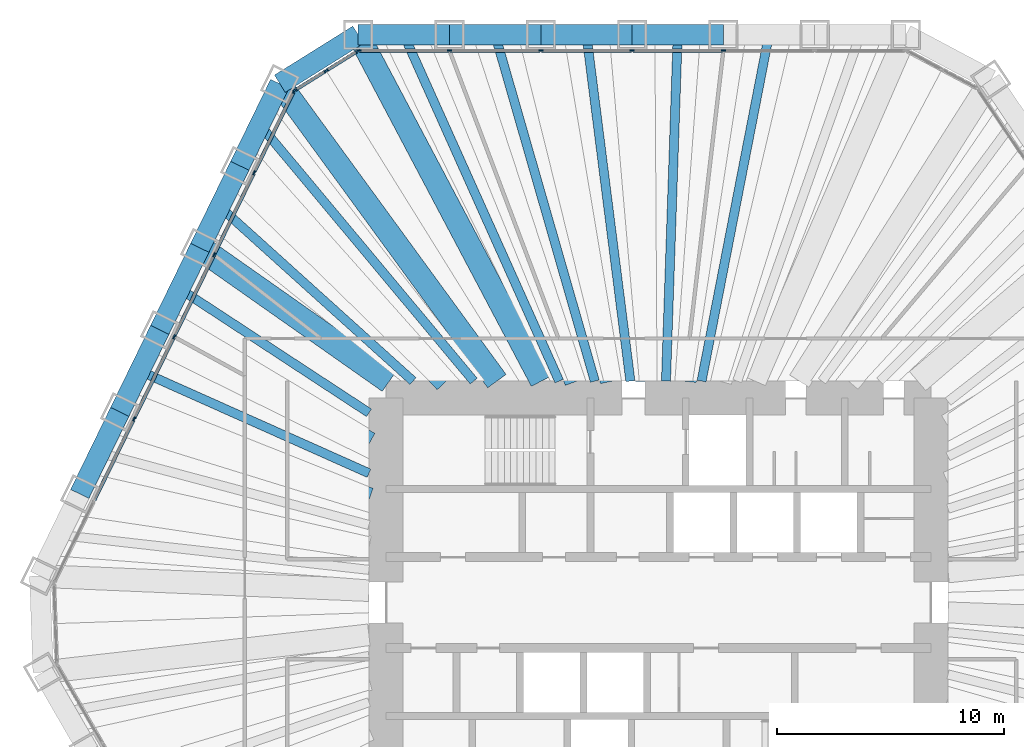
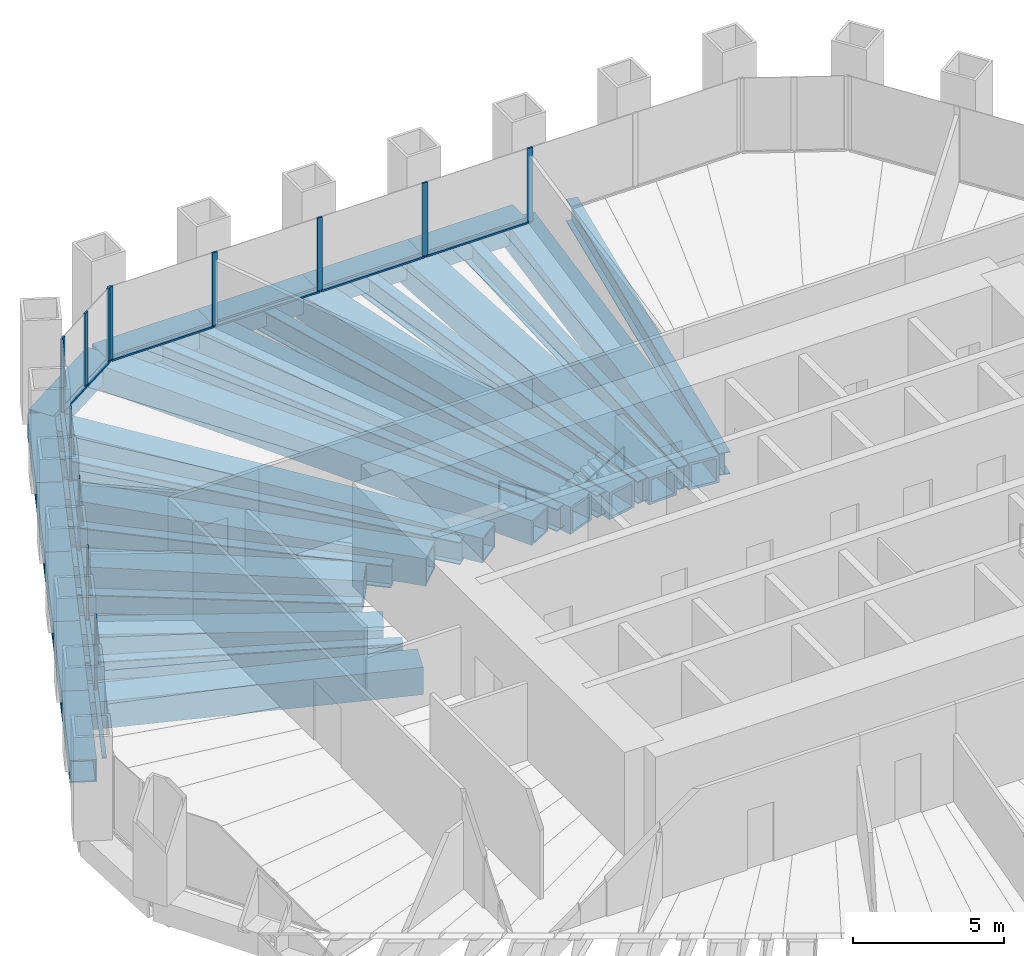
# One storey, part 5 of 12: 29 beams, 24 members, 3 elements without a shape of their own.
"""IFC4 building model written with IfcOpenShell, lengths in metres."""

import ifcopenshell
import ifcopenshell.guid

model = None  # the IFC model being written
_history = None  # IfcOwnerHistory: only IFC2X3 demands one
_inside = {}  # id of a spatial element -> (the spatial element, [elements in it])
_under = {}  # id of a project, library or spatial element -> (it, [spatial elements below it])
_declared = {}  # id of a project -> (the project, [libraries it declares])
_typed = {}  # id of a type object -> (the type object, [elements of that type])
_made_of = {}  # id of a material, layer set ... -> (it, [elements and type objects made of it])


def new_model(schema):
    """Start an empty IFC model of exactly this schema.

    Asked for "IFC4X3", IfcOpenShell would pick the latest addendum, in which some entities
    have other attributes; the version numbers below select the first issue.
    IFC2X3 requires an IfcOwnerHistory on every rooted entity: one is made here for all.
    """
    global model, _history
    if schema == "IFC4X3":
        model = ifcopenshell.file(schema_version=(4, 3, 0, 0))
    else:
        model = ifcopenshell.file(schema=schema)
    _inside.clear()
    _under.clear()
    _declared.clear()
    _typed.clear()
    _made_of.clear()
    _history = None
    if model.schema == "IFC2X3":
        org = make("IfcOrganization", Name="unknown")
        user = make(
            "IfcPersonAndOrganization",
            ThePerson=make("IfcPerson", FamilyName="unknown"),
            TheOrganization=org,
        )
        app = make(
            "IfcApplication",
            ApplicationDeveloper=org,
            Version="unknown",
            ApplicationFullName="unknown",
            ApplicationIdentifier="unknown",
        )
        _history = make(
            "IfcOwnerHistory",
            OwningUser=user,
            OwningApplication=app,
            ChangeAction="ADDED",
            CreationDate=0,
        )
    return model


def make(cls, **values):
    """One entity of the class cls with the attributes given. An attribute that is None is left unset."""
    return model.create_entity(
        cls, **{name: value for name, value in values.items() if value is not None}
    )


def rooted(cls, **values):
    """An entity with a GlobalId (a new one), such as an element, a storey or a relation."""
    return make(cls, GlobalId=ifcopenshell.guid.new(), OwnerHistory=_history, **values)


def si_unit(unit_type, name, prefix=None):
    """IfcSIUnit, for example si_unit("LENGTHUNIT", "METRE", prefix="MILLI")."""
    return make("IfcSIUnit", UnitType=unit_type, Prefix=prefix, Name=name)


def assignment(units):
    """IfcUnitAssignment: the units of a project."""
    return None if units is None else make("IfcUnitAssignment", Units=units)


def point(xyz):
    """IfcCartesianPoint."""
    return None if xyz is None else make("IfcCartesianPoint", Coordinates=xyz)


def direction(xyz):
    """IfcDirection."""
    return None if xyz is None else make("IfcDirection", DirectionRatios=xyz)


def frame(location, z_axis=None, x_axis=None):
    """IfcAxis2Placement3D, a coordinate frame: its origin and axes. An axis left out is left unset."""
    return make(
        "IfcAxis2Placement3D",
        Location=point(location),
        Axis=direction(z_axis),
        RefDirection=direction(x_axis),
    )


def frame_2d(location, x_axis=None):
    """IfcAxis2Placement2D, a coordinate frame in the plane: its origin and x axis."""
    return make(
        "IfcAxis2Placement2D", Location=point(location), RefDirection=direction(x_axis)
    )


def origin():
    """The frame at (0, 0, 0) with its axes left unset."""
    return frame((0.0, 0.0, 0.0))


def origin_2d():
    """The frame at (0, 0) in the plane with its x axis left unset."""
    return frame_2d((0.0, 0.0))


def place(relative_to, where):
    """IfcLocalPlacement: puts the frame where relative to a parent placement (None: the world)."""
    return make(
        "IfcLocalPlacement", PlacementRelTo=relative_to, RelativePlacement=where
    )


def context(
    kind, dimensions, precision=None, world=None, true_north=None, identifier=None
):
    """IfcGeometricRepresentationContext, for example the 3D "Model" context."""
    return make(
        "IfcGeometricRepresentationContext",
        ContextIdentifier=identifier,
        ContextType=kind,
        CoordinateSpaceDimension=dimensions,
        Precision=precision,
        WorldCoordinateSystem=world,
        TrueNorth=true_north,
    )


def subcontext(parent, identifier, kind, view, scale=None):
    """IfcGeometricRepresentationSubContext, for example "Body" below "Model"."""
    return make(
        "IfcGeometricRepresentationSubContext",
        ContextIdentifier=identifier,
        ContextType=kind,
        ParentContext=parent,
        TargetScale=scale,
        TargetView=view,
    )


def project(units=None, contexts=None):
    """IfcProject with its units and contexts."""
    return rooted(
        "IfcProject",
        Name="project",
        RepresentationContexts=contexts,
        UnitsInContext=assignment(units),
    )


def spatial(cls, under=None, at=None, **own):
    """A site, building, storey or space (cls), placed at a placement, below another one or the project."""
    s = rooted(cls, ObjectPlacement=at, **own)
    if under is not None:
        _under.setdefault(under.id(), (under, []))[1].append(s)
    return s


def profile(cls, at=None, kind="AREA", **sizes):
    """A parametric profile (cls). Its sizes go by their IFC names, for example OverallWidth=200.0."""
    return make(cls, ProfileType=kind, Position=at, **sizes)


def rectangle(**sizes):
    """IfcRectangleProfileDef."""
    return profile("IfcRectangleProfileDef", **sizes)


def hollow_rectangle(**sizes):
    """IfcRectangleHollowProfileDef."""
    return profile("IfcRectangleHollowProfileDef", **sizes)


def i_section(**sizes):
    """IfcIShapeProfileDef."""
    return profile("IfcIShapeProfileDef", **sizes)


def extrude(swept, where, along, depth):
    """IfcExtrudedAreaSolid: the profile swept, set in the frame where, extruded along a direction by depth."""
    return make(
        "IfcExtrudedAreaSolid",
        SweptArea=swept,
        Position=where,
        ExtrudedDirection=direction(along),
        Depth=depth,
    )


def shape(context_of_items, identifier, shape_type, items):
    """IfcShapeRepresentation: the items that make up one representation, for example the "Body"."""
    return make(
        "IfcShapeRepresentation",
        ContextOfItems=context_of_items,
        RepresentationIdentifier=identifier,
        RepresentationType=shape_type,
        Items=items,
    )


def material(Name=None, Category=None):
    """IfcMaterial."""
    return make("IfcMaterial", Name=Name, Category=Category)


def material_profile(
    of_material, cross_section, Name=None, Category=None, Priority=None
):
    """IfcMaterialProfile: a cross section and its material."""
    return make(
        "IfcMaterialProfile",
        Name=Name,
        Material=of_material,
        Profile=cross_section,
        Priority=Priority,
        Category=Category,
    )


def profile_set(profiles, Name=None, composite=None):
    """IfcMaterialProfileSet."""
    return make(
        "IfcMaterialProfileSet",
        Name=Name,
        MaterialProfiles=profiles,
        CompositeProfile=composite,
    )


def made_of(thing, what):
    """Note that an element or type object is made of a material, layer set ...; save() writes the relation."""
    if what is not None:
        _made_of.setdefault(what.id(), (what, []))[1].append(thing)
    return thing


def type_object(cls, material=None, **own):
    """A type object (cls), such as IfcWallType, which elements share."""
    return made_of(rooted(cls, **own), material)


def element(
    cls,
    number,
    at=None,
    inside=None,
    cuts=None,
    type_object=None,
    material=None,
    context=None,
    identifier="Body",
    shape_type=None,
    held_by="IfcProductDefinitionShape",
    body=None,
    shapes=None,
    **own,
):
    """One element of the class cls, such as IfcWall. Its Tag is "e" and its number.

    at: its placement. inside: the storey or other place that contains it. cuts: it is an
    opening in that element (IfcRelVoidsElement). A single representation is given by context,
    identifier, shape_type and body (its items); several are given by shapes. held_by: the class
    of the entity that holds the representations. save() writes the other relations.
    """
    e = rooted(cls, Tag="e%d" % number, ObjectPlacement=at, **own)
    if body is not None:
        shapes = [shape(context, identifier, shape_type, body)]
    if shapes is not None:
        e.Representation = make(held_by, Representations=shapes)
    if inside is not None:
        _inside.setdefault(inside.id(), (inside, []))[1].append(e)
    if cuts is not None:
        rooted(
            "IfcRelVoidsElement", RelatingBuildingElement=cuts, RelatedOpeningElement=e
        )
    if type_object is not None:
        _typed.setdefault(type_object.id(), (type_object, []))[1].append(e)
    return made_of(e, material)


def aggregate(whole, parts):
    """IfcRelAggregates: a whole, such as a stair, and the parts it consists of."""
    return rooted("IfcRelAggregates", RelatingObject=whole, RelatedObjects=parts)


def save(model, path):
    """Write the relations noted so far, then the file.

    IfcRelAggregates (storeys below a building ...), IfcRelContainedInSpatialStructure (elements
    in a storey), IfcRelDefinesByType, IfcRelAssociatesMaterial and IfcRelDeclares: one each for
    every whole, place, type object, material and project.
    """
    for whole, parts in _under.values():
        aggregate(whole, parts)
    for where, things in _inside.values():
        rooted(
            "IfcRelContainedInSpatialStructure",
            RelatedElements=things,
            RelatingStructure=where,
        )
    for kind, things in _typed.values():
        rooted("IfcRelDefinesByType", RelatedObjects=things, RelatingType=kind)
    for what, things in _made_of.values():
        rooted("IfcRelAssociatesMaterial", RelatedObjects=things, RelatingMaterial=what)
    for by, libraries in _declared.values():
        rooted("IfcRelDeclares", RelatingContext=by, RelatedDefinitions=libraries)
    model.write(path)


model = new_model("IFC4")

# Units and contexts
model_context = context("Model", 3, precision=1e-05, world=origin(), true_north=direction((0.0, 1.0)))
body_context = subcontext(model_context, "Body", "Model", "MODEL_VIEW")
ifc_project = project(units=[si_unit("LENGTHUNIT", "METRE"), si_unit("AREAUNIT", "SQUARE_METRE"), si_unit("VOLUMEUNIT", "CUBIC_METRE"), si_unit("PLANEANGLEUNIT", "RADIAN"), si_unit("MASSUNIT", "GRAM", prefix="KILO")], contexts=[model_context])

# Site, building, storey
site_placement = place(None, origin())
site = spatial("IfcSite", under=ifc_project, at=site_placement, CompositionType="ELEMENT")
building_placement = place(site_placement, origin())
building = spatial("IfcBuilding", under=site, at=building_placement, Name="Qingtian Harvest Tower", CompositionType="ELEMENT")
storey_placement = place(building_placement, frame((0.0, 0.0, 170.199951171875)))
storey = spatial("IfcBuildingStorey", under=building, at=storey_placement, Name="L36", CompositionType="ELEMENT", Elevation=170.199951171875)

# Beams
ifc_material_1 = material(Name="Steel SN490B", Category="steel")
ifc_material_profile_1 = material_profile(ifc_material_1, i_section(OverallWidth=0.39990234375, OverallDepth=0.89990234375, WebThickness=0.01904296875, FlangeThickness=0.035888671875, at=origin_2d()), Name="H900x400x19x36")
ifc_profile_set_1 = profile_set([ifc_material_profile_1], Name="Steel SN490B")
beam_type_1 = type_object("IfcBeamType", Name="Floor joist J4 H900x400x19x36", PredefinedType="JOIST", material=ifc_profile_set_1)
beam_1_placement = place(storey_placement, frame((-11.212158203125, 25.0, -0.619873046875), z_axis=(0.409212761683, -0.912438992852, 0.0), x_axis=(0.912438992852, 0.409212761683, 0.0)))
element("IfcBeam", 1, at=beam_1_placement, inside=storey, type_object=beam_type_1, Name="Floor joist J4 N0", PredefinedType="JOIST", context=body_context, shape_type="SweptSolid", body=[
    extrude(i_section(OverallWidth=0.39990234375, OverallDepth=0.89990234375, WebThickness=0.01904296875, FlangeThickness=0.035888671875, at=origin_2d()), origin(), (0.0, 0.0, 1.0), 16.71337890625),
])
beam_2_placement = place(storey_placement, frame((-7.193115234375, 25.0, -0.619873046875), z_axis=(0.276500682027, -0.961013721462, 0.0), x_axis=(0.961013721462, 0.276500682027, 0.0)))
element("IfcBeam", 2, at=beam_2_placement, inside=storey, type_object=beam_type_1, Name="Floor joist J4 N1", PredefinedType="JOIST", context=body_context, shape_type="SweptSolid", body=[
    extrude(i_section(OverallWidth=0.39990234375, OverallDepth=0.89990234375, WebThickness=0.01904296875, FlangeThickness=0.035888671875, at=origin_2d()), origin(), (0.0, 0.0, 1.0), 15.86865234375),
])
beam_3_placement = place(storey_placement, frame((-3.174072265625, 25.0, -0.619873046875), z_axis=(0.125957899702, -0.992035587821, 0.0), x_axis=(0.992035587821, 0.125957899702, 0.0)))
element("IfcBeam", 3, at=beam_3_placement, inside=storey, type_object=beam_type_1, Name="Floor joist J4 N2", PredefinedType="JOIST", context=body_context, shape_type="SweptSolid", body=[
    extrude(i_section(OverallWidth=0.39990234375, OverallDepth=0.89990234375, WebThickness=0.01904296875, FlangeThickness=0.035888671875, at=origin_2d()), origin(), (0.0, 0.0, 1.0), 15.372314453125),
])
beam_4_placement = place(storey_placement, frame((0.844970703125, 25.0, -0.619873046875), z_axis=(-0.033776183237, -0.999429421943, 0.0), x_axis=(0.999429421943, -0.033776183237, 0.0)))
element("IfcBeam", 4, at=beam_4_placement, inside=storey, type_object=beam_type_1, Name="Floor joist J4 N3", PredefinedType="JOIST", context=body_context, shape_type="SweptSolid", body=[
    extrude(i_section(OverallWidth=0.39990234375, OverallDepth=0.89990234375, WebThickness=0.01904296875, FlangeThickness=0.035888671875, at=origin_2d()), origin(), (0.0, 0.0, 1.0), 15.2587890625),
])
beam_5_placement = place(storey_placement, frame((4.864013671875, 25.0, -0.619873046875), z_axis=(-0.190979017217, -0.981594119269, 0.0), x_axis=(0.981594119269, -0.190979017217, 0.0)))
element("IfcBeam", 5, at=beam_5_placement, inside=storey, type_object=beam_type_1, Name="Floor joist J4 N4", PredefinedType="JOIST", context=body_context, shape_type="SweptSolid", body=[
    extrude(i_section(OverallWidth=0.39990234375, OverallDepth=0.89990234375, WebThickness=0.01904296875, FlangeThickness=0.035888671875, at=origin_2d()), origin(), (0.0, 0.0, 1.0), 15.535888671875),
])
beam_6_placement = place(storey_placement, frame((-22.84033203125, 10.19970703125, -0.619873046875), z_axis=(0.913095877166, -0.407744919162, 0.0), x_axis=(0.407744919162, 0.913095877166, 0.0)))
element("IfcBeam", 6, at=beam_6_placement, inside=storey, type_object=beam_type_1, Name="Floor joist J4 NW2", PredefinedType="JOIST", context=body_context, shape_type="SweptSolid", body=[
    extrude(i_section(OverallWidth=0.39990234375, OverallDepth=0.89990234375, WebThickness=0.01904296875, FlangeThickness=0.035888671875, at=origin_2d()), origin(), (0.0, 0.0, 1.0), 11.05078125),
])
beam_7_placement = place(storey_placement, frame((-21.078369140625, 13.81201171875, -0.619873046875), z_axis=(0.836426246046, -0.548079496903, 0.0), x_axis=(0.548079496903, 0.836426246046, 0.0)))
element("IfcBeam", 7, at=beam_7_placement, inside=storey, type_object=beam_type_1, Name="Floor joist J4 NW3", PredefinedType="JOIST", context=body_context, shape_type="SweptSolid", body=[
    extrude(i_section(OverallWidth=0.39990234375, OverallDepth=0.89990234375, WebThickness=0.01904296875, FlangeThickness=0.035888671875, at=origin_2d()), origin(), (0.0, 0.0, 1.0), 9.95703125),
])
beam_8_placement = place(storey_placement, frame((-19.316650390625, 17.42431640625, -0.619873046875), z_axis=(0.742543540775, -0.669797797886, 0.0), x_axis=(0.669797797886, 0.742543540775, 0.0)))
element("IfcBeam", 8, at=beam_8_placement, inside=storey, type_object=beam_type_1, Name="Floor joist J4 NW4", PredefinedType="JOIST", context=body_context, shape_type="SweptSolid", body=[
    extrude(i_section(OverallWidth=0.39990234375, OverallDepth=0.89990234375, WebThickness=0.01904296875, FlangeThickness=0.035888671875, at=origin_2d()), origin(), (0.0, 0.0, 1.0), 11.457763671875),
])
beam_9_placement = place(storey_placement, frame((-17.5546875, 21.03662109375, -0.619873046875), z_axis=(0.640703730007, -0.767788206704, 0.0), x_axis=(0.767788206704, 0.640703730007, 0.0)))
element("IfcBeam", 9, at=beam_9_placement, inside=storey, type_object=beam_type_1, Name="Floor joist J4 NW5", PredefinedType="JOIST", context=body_context, shape_type="SweptSolid", body=[
    extrude(i_section(OverallWidth=0.39990234375, OverallDepth=0.89990234375, WebThickness=0.01904296875, FlangeThickness=0.035888671875, at=origin_2d()), origin(), (0.0, 0.0, 1.0), 14.7001953125),
])

# Curtain wall, members
ifc_material_2 = material(Name="Bronze-anodised aluminium curtain wall", Category="aluminium")
curtain_wall_type = type_object("IfcCurtainWallType", Name="Curtain wall CW4 office", PredefinedType="USERDEFINED", material=ifc_material_2)
curtain_wall_1_placement = place(storey_placement, origin())
curtain_wall_1 = element("IfcCurtainWall", 10, at=curtain_wall_1_placement, inside=storey, type_object=curtain_wall_type, Name="Curtain wall CW4 L36 N0-5", ObjectType="RECESSED CURTAIN WALL", PredefinedType="USERDEFINED")
ifc_material_3 = material(Name="Bronze-anodised aluminium mullion", Category="aluminium")
ifc_material_profile_2 = material_profile(ifc_material_3, rectangle(XDim=0.06494140625, YDim=0.199951171875, at=origin_2d()), Name="AL 65x200")
ifc_profile_set_2 = profile_set([ifc_material_profile_2], Name="Bronze-anodised aluminium mullion")
member_type_1 = type_object("IfcMemberType", Name="Mullion CWM 65x200", PredefinedType="MULLION", material=ifc_profile_set_2)
member_1_placement = place(storey_placement, frame((-13.189208984375, 24.300048828125, 0.0), z_axis=(0.0, 0.0, 1.0), x_axis=(0.0, 1.0, 0.0)))
member_1 = element("IfcMember", 11, at=member_1_placement, type_object=member_type_1, Name="CW4 mullion 1", PredefinedType="MULLION", context=body_context, shape_type="SweptSolid", body=[
    extrude(rectangle(XDim=0.06494140625, YDim=0.199951171875, at=origin_2d()), origin(), (0.0, 0.0, 1.0), 3.0),
])
member_2_placement = place(storey_placement, frame((-9.20263671875, 24.300048828125, 0.0), z_axis=(0.0, 0.0, 1.0), x_axis=(0.0, 1.0, 0.0)))
member_2 = element("IfcMember", 12, at=member_2_placement, type_object=member_type_1, Name="CW4 mullion 2", PredefinedType="MULLION", context=body_context, shape_type="SweptSolid", body=[
    extrude(rectangle(XDim=0.06494140625, YDim=0.199951171875, at=origin_2d()), origin(), (0.0, 0.0, 1.0), 3.0),
])
member_3_placement = place(storey_placement, frame((-5.18359375, 24.300048828125, 0.0), z_axis=(0.0, 0.0, 1.0), x_axis=(0.0, 1.0, 0.0)))
member_3 = element("IfcMember", 13, at=member_3_placement, type_object=member_type_1, Name="CW4 mullion 3", PredefinedType="MULLION", context=body_context, shape_type="SweptSolid", body=[
    extrude(rectangle(XDim=0.06494140625, YDim=0.199951171875, at=origin_2d()), origin(), (0.0, 0.0, 1.0), 3.0),
])
member_4_placement = place(storey_placement, frame((-1.16455078125, 24.300048828125, 0.0), z_axis=(0.0, 0.0, 1.0), x_axis=(0.0, 1.0, 0.0)))
member_4 = element("IfcMember", 14, at=member_4_placement, type_object=member_type_1, Name="CW4 mullion 4", PredefinedType="MULLION", context=body_context, shape_type="SweptSolid", body=[
    extrude(rectangle(XDim=0.06494140625, YDim=0.199951171875, at=origin_2d()), origin(), (0.0, 0.0, 1.0), 3.0),
])
member_5_placement = place(storey_placement, frame((2.8544921875, 24.300048828125, 0.0), z_axis=(0.0, 0.0, 1.0), x_axis=(0.0, 1.0, 0.0)))
member_5 = element("IfcMember", 15, at=member_5_placement, type_object=member_type_1, Name="CW4 mullion 5", PredefinedType="MULLION", context=body_context, shape_type="SweptSolid", body=[
    extrude(rectangle(XDim=0.06494140625, YDim=0.199951171875, at=origin_2d()), origin(), (0.0, 0.0, 1.0), 3.0),
])

curtain_wall_2_placement = place(storey_placement, origin())
curtain_wall_2 = element("IfcCurtainWall", 16, at=curtain_wall_2_placement, inside=storey, type_object=curtain_wall_type, Name="Curtain wall CW4 L36 NW0-5", ObjectType="RECESSED CURTAIN WALL", PredefinedType="USERDEFINED")
member_6_placement = place(storey_placement, frame((-23.092041015625, 8.086669921875, 0.0), z_axis=(0.0, 0.0, 1.0), x_axis=(-0.898794046299, 0.438371146789, 0.0)))
member_6 = element("IfcMember", 17, at=member_6_placement, type_object=member_type_1, Name="CW4 mullion 3", PredefinedType="MULLION", context=body_context, shape_type="SweptSolid", body=[
    extrude(rectangle(XDim=0.06494140625, YDim=0.199951171875, at=origin_2d()), origin(), (0.0, 0.0, 1.0), 3.0),
])
member_7_placement = place(storey_placement, frame((-21.330322265625, 11.698974609375, 0.0), z_axis=(0.0, 0.0, 1.0), x_axis=(-0.898794046299, 0.438371146789, 0.0)))
member_7 = element("IfcMember", 18, at=member_7_placement, type_object=member_type_1, Name="CW4 mullion 4", PredefinedType="MULLION", context=body_context, shape_type="SweptSolid", body=[
    extrude(rectangle(XDim=0.06494140625, YDim=0.199951171875, at=origin_2d()), origin(), (0.0, 0.0, 1.0), 3.0),
])
member_8_placement = place(storey_placement, frame((-19.568359375, 15.311279296875, 0.0), z_axis=(0.0, 0.0, 1.0), x_axis=(-0.898794046299, 0.438371146789, 0.0)))
member_8 = element("IfcMember", 19, at=member_8_placement, type_object=member_type_1, Name="CW4 mullion 5", PredefinedType="MULLION", context=body_context, shape_type="SweptSolid", body=[
    extrude(rectangle(XDim=0.06494140625, YDim=0.199951171875, at=origin_2d()), origin(), (0.0, 0.0, 1.0), 3.0),
])
member_9_placement = place(storey_placement, frame((-17.806396484375, 18.923828125, 0.0), z_axis=(0.0, 0.0, 1.0), x_axis=(-0.898794046299, 0.438371146789, 0.0)))
member_9 = element("IfcMember", 20, at=member_9_placement, type_object=member_type_1, Name="CW4 mullion 6", PredefinedType="MULLION", context=body_context, shape_type="SweptSolid", body=[
    extrude(rectangle(XDim=0.06494140625, YDim=0.199951171875, at=origin_2d()), origin(), (0.0, 0.0, 1.0), 3.0),
])
member_10_placement = place(storey_placement, frame((-16.058837890625, 22.5068359375, 0.0), z_axis=(0.0, 0.0, 1.0), x_axis=(-0.898794046299, 0.438371146789, 0.0)))
member_10 = element("IfcMember", 21, at=member_10_placement, type_object=member_type_1, Name="CW4 mullion 7", PredefinedType="MULLION", context=body_context, shape_type="SweptSolid", body=[
    extrude(rectangle(XDim=0.06494140625, YDim=0.199951171875, at=origin_2d()), origin(), (0.0, 0.0, 1.0), 3.0),
])

curtain_wall_3_placement = place(storey_placement, origin())
curtain_wall_3 = element("IfcCurtainWall", 22, at=curtain_wall_3_placement, inside=storey, type_object=curtain_wall_type, Name="Curtain wall CW4 L36 NWC", ObjectType="RECESSED CURTAIN WALL", PredefinedType="USERDEFINED")
member_11_placement = place(storey_placement, frame((-16.01708984375, 22.55322265625, 0.0), z_axis=(0.0, 0.0, 1.0), x_axis=(-0.529919264233, 0.848048096156, 0.0)))
member_11 = element("IfcMember", 23, at=member_11_placement, type_object=member_type_1, Name="CW4 mullion 1", PredefinedType="MULLION", context=body_context, shape_type="SweptSolid", body=[
    extrude(rectangle(XDim=0.06494140625, YDim=0.199951171875, at=origin_2d()), origin(), (0.0, 0.0, 1.0), 3.0),
])
member_12_placement = place(storey_placement, frame((-14.63330078125, 23.41796875, 0.0), z_axis=(0.0, 0.0, 1.0), x_axis=(-0.529919264233, 0.848048096156, 0.0)))
member_12 = element("IfcMember", 24, at=member_12_placement, type_object=member_type_1, Name="CW4 mullion 2", PredefinedType="MULLION", context=body_context, shape_type="SweptSolid", body=[
    extrude(rectangle(XDim=0.06494140625, YDim=0.199951171875, at=origin_2d()), origin(), (0.0, 0.0, 1.0), 3.0),
])
member_13_placement = place(storey_placement, frame((-13.249267578125, 24.28271484375, 0.0), z_axis=(0.0, 0.0, 1.0), x_axis=(-0.529919264233, 0.848048096156, 0.0)))
member_13 = element("IfcMember", 25, at=member_13_placement, type_object=member_type_1, Name="CW4 mullion 3", PredefinedType="MULLION", context=body_context, shape_type="SweptSolid", body=[
    extrude(rectangle(XDim=0.06494140625, YDim=0.199951171875, at=origin_2d()), origin(), (0.0, 0.0, 1.0), 3.0),
])

# Beams
ifc_material_4 = material(Name="Steel SM570MC", Category="steel")
ifc_material_profile_3 = material_profile(ifc_material_4, hollow_rectangle(XDim=1.0, YDim=1.0, WallThickness=0.080078125, at=origin_2d()), Name="BOX1000x1000x80")
ifc_profile_set_3 = profile_set([ifc_material_profile_3], Name="Steel SM570MC")
beam_type_2 = type_object("IfcBeamType", Name="Transfer corner beam FB11 BOX1000x1000x80", PredefinedType="BEAM", material=ifc_profile_set_3)
beam_10_placement = place(storey_placement, frame((-13.2216796875, 25.0, -0.669921875), z_axis=(0.46750989692, -0.88398783718, 0.0), x_axis=(0.88398783718, 0.46750989692, 0.0)))
element("IfcBeam", 26, at=beam_10_placement, inside=storey, type_object=beam_type_2, Name="Floor beam FB11 N0", PredefinedType="BEAM", context=body_context, shape_type="SweptSolid", body=[
    extrude(hollow_rectangle(XDim=1.0, YDim=1.0, WallThickness=0.080078125, at=origin_2d()), origin(), (0.0, 0.0, 1.0), 17.25146484375),
])
beam_11_placement = place(storey_placement, frame((-16.673828125, 22.8427734375, -0.669921875), z_axis=(0.589577703364, -0.807711663712, 0.0), x_axis=(0.807711663712, 0.589577703364, 0.0)))
element("IfcBeam", 27, at=beam_11_placement, inside=storey, type_object=beam_type_2, Name="Floor beam FB11 NW6", PredefinedType="BEAM", context=body_context, shape_type="SweptSolid", body=[
    extrude(hollow_rectangle(XDim=1.0, YDim=1.0, WallThickness=0.080078125, at=origin_2d()), origin(), (0.0, 0.0, 1.0), 16.209716796875),
])
ifc_material_5 = material(Name="Steel SM570MC", Category="steel")
ifc_material_profile_4 = material_profile(ifc_material_5, hollow_rectangle(XDim=1.10009765625, YDim=1.10009765625, WallThickness=0.10009765625, at=origin_2d()), Name="BOX1100x1100x100")
ifc_profile_set_4 = profile_set([ifc_material_profile_4], Name="Steel SM570MC")
beam_type_3 = type_object("IfcBeamType", Name="Transfer floor beam FB9 BOX1100x1100x100", PredefinedType="BEAM", material=ifc_profile_set_4)
beam_12_placement = place(storey_placement, frame((-9.20263671875, 25.0, -0.719970703125), z_axis=(0.345440084985, -0.938440806703, 0.0), x_axis=(0.938440806703, 0.345440084985, 0.0)))
element("IfcBeam", 28, at=beam_12_placement, inside=storey, type_object=beam_type_3, Name="Floor beam FB9 N1", PredefinedType="BEAM", context=body_context, shape_type="SweptSolid", body=[
    extrude(hollow_rectangle(XDim=1.10009765625, YDim=1.10009765625, WallThickness=0.10009765625, at=origin_2d()), origin(), (0.0, 0.0, 1.0), 16.250244140625),
])
beam_13_placement = place(storey_placement, frame((-5.18359375, 25.0, -0.719970703125), z_axis=(0.203032709566, -0.979171955709, 0.0), x_axis=(0.979171955709, 0.203032709566, 0.0)))
element("IfcBeam", 29, at=beam_13_placement, inside=storey, type_object=beam_type_3, Name="Floor beam FB9 N2", PredefinedType="BEAM", context=body_context, shape_type="SweptSolid", body=[
    extrude(hollow_rectangle(XDim=1.10009765625, YDim=1.10009765625, WallThickness=0.10009765625, at=origin_2d()), origin(), (0.0, 0.0, 1.0), 15.574462890625),
])
beam_14_placement = place(storey_placement, frame((-1.16455078125, 25.0, -0.719970703125), z_axis=(0.046536361684, -0.998916596639, 0.0), x_axis=(0.998916596639, 0.046536361684, 0.0)))
element("IfcBeam", 30, at=beam_14_placement, inside=storey, type_object=beam_type_3, Name="Floor beam FB9 N3", PredefinedType="BEAM", context=body_context, shape_type="SweptSolid", body=[
    extrude(hollow_rectangle(XDim=1.10009765625, YDim=1.10009765625, WallThickness=0.10009765625, at=origin_2d()), origin(), (0.0, 0.0, 1.0), 15.2666015625),
])
beam_15_placement = place(storey_placement, frame((2.8544921875, 25.0, -0.719970703125), z_axis=(-0.113440722222, -0.993544766249, 0.0), x_axis=(0.993544766249, -0.113440722222, 0.0)))
element("IfcBeam", 31, at=beam_15_placement, inside=storey, type_object=beam_type_3, Name="Floor beam FB9 N4", PredefinedType="BEAM", context=body_context, shape_type="SweptSolid", body=[
    extrude(hollow_rectangle(XDim=1.10009765625, YDim=1.10009765625, WallThickness=0.10009765625, at=origin_2d()), origin(), (0.0, 0.0, 1.0), 15.34912109375),
])
beam_16_placement = place(storey_placement, frame((-23.72119140625, 8.3935546875, -0.719970703125), z_axis=(0.942723186419, -0.333576068967, 0.0), x_axis=(0.333576068967, 0.942723186419, 0.0)))
element("IfcBeam", 32, at=beam_16_placement, inside=storey, type_object=beam_type_3, Name="Floor beam FB9 NW2", PredefinedType="BEAM", context=body_context, shape_type="SweptSolid", body=[
    extrude(hollow_rectangle(XDim=1.10009765625, YDim=1.10009765625, WallThickness=0.10009765625, at=origin_2d()), origin(), (0.0, 0.0, 1.0), 11.6376953125),
])
beam_17_placement = place(storey_placement, frame((-21.95947265625, 12.005859375, -0.719970703125), z_axis=(0.877432026785, -0.479700988505, 0.0), x_axis=(0.479700988505, 0.877432026785, 0.0)))
element("IfcBeam", 33, at=beam_17_placement, inside=storey, type_object=beam_type_3, Name="Floor beam FB9 NW3", PredefinedType="BEAM", context=body_context, shape_type="SweptSolid", body=[
    extrude(hollow_rectangle(XDim=1.10009765625, YDim=1.10009765625, WallThickness=0.10009765625, at=origin_2d()), origin(), (0.0, 0.0, 1.0), 10.495849609375),
])
beam_18_placement = place(storey_placement, frame((-20.197509765625, 15.6181640625, -0.719970703125), z_axis=(0.818080343043, -0.57510394915, 0.0), x_axis=(0.57510394915, 0.818080343043, 0.0)))
element("IfcBeam", 34, at=beam_18_placement, inside=storey, type_object=beam_type_3, Name="Floor beam FB9 NW4", PredefinedType="BEAM", context=body_context, shape_type="SweptSolid", body=[
    extrude(hollow_rectangle(XDim=1.10009765625, YDim=1.10009765625, WallThickness=0.10009765625, at=origin_2d()), origin(), (0.0, 0.0, 1.0), 10.20361328125),
])
beam_19_placement = place(storey_placement, frame((-18.435791015625, 19.23046875, -0.719970703125), z_axis=(0.69204101057, -0.721858185303, 0.0), x_axis=(0.721858185303, 0.69204101057, 0.0)))
element("IfcBeam", 35, at=beam_19_placement, inside=storey, type_object=beam_type_3, Name="Floor beam FB9 NW5", PredefinedType="BEAM", context=body_context, shape_type="SweptSolid", body=[
    extrude(hollow_rectangle(XDim=1.10009765625, YDim=1.10009765625, WallThickness=0.10009765625, at=origin_2d()), origin(), (0.0, 0.0, 1.0), 13.13330078125),
])
ifc_material_6 = material(Name="Steel SM570MC", Category="steel")
ifc_material_profile_5 = material_profile(ifc_material_6, hollow_rectangle(XDim=0.89990234375, YDim=0.89990234375, WallThickness=0.050048828125, at=origin_2d()), Name="BOX900x900x50")
ifc_profile_set_5 = profile_set([ifc_material_profile_5], Name="Steel SM570MC")
beam_type_4 = type_object("IfcBeamType", Name="Transition spandrel SB6 BOX900x900x50", PredefinedType="SPANDREL", material=ifc_profile_set_5)
for number, where, z_axis, x_axis, name in (
    (36, (-13.2216796875, 25.0, -0.449951171875), (1.0, 0.0, 0.0), (0.0, 1.0, 0.0), "Spandrel SB6 N0"),
    (37, (-9.20263671875, 25.0, -0.449951171875), (1.0, 0.0, 0.0), (0.0, 1.0, 0.0), "Spandrel SB6 N1"),
    (38, (-5.18359375, 25.0, -0.449951171875), (1.0, 0.0, 0.0), (0.0, 1.0, 0.0), "Spandrel SB6 N2"),
    (39, (-1.16455078125, 25.0, -0.449951171875), (1.0, 0.0, 0.0), (0.0, 1.0, 0.0), "Spandrel SB6 N3"),
    (40, (-25.483154296875, 4.78125, -0.449951171875), (0.438396105405, 0.89878187274, 0.0), (-0.89878187274, 0.438396105405, 0.0), "Spandrel SB6 NW1"),
    (41, (-23.72119140625, 8.3935546875, -0.449951171875), (0.438347033158, 0.898805806902, 0.0), (-0.898805806902, 0.438347033158, 0.0), "Spandrel SB6 NW2"),
    (42, (-21.95947265625, 12.005859375, -0.449951171875), (0.438396105405, 0.89878187274, 0.0), (-0.89878187274, 0.438396105405, 0.0), "Spandrel SB6 NW3"),
    (43, (-20.197509765625, 15.6181640625, -0.449951171875), (0.438347033158, 0.898805806902, 0.0), (-0.898805806902, 0.438347033158, 0.0), "Spandrel SB6 NW4"),
    (44, (-18.435791015625, 19.23046875, -0.449951171875), (0.438396105405, 0.89878187274, 0.0), (-0.89878187274, 0.438396105405, 0.0), "Spandrel SB6 NW5"),
):
    element("IfcBeam", number, at=place(storey_placement, frame(where, z_axis=z_axis, x_axis=x_axis)), inside=storey, type_object=beam_type_4, Name=name, PredefinedType="SPANDREL", context=body_context, shape_type="SweptSolid", body=[
        extrude(hollow_rectangle(XDim=0.89990234375, YDim=0.89990234375, WallThickness=0.050048828125, at=origin_2d()), origin(), (0.0, 0.0, 1.0), 4.01904296875),
    ])
beam_20_placement = place(storey_placement, frame((-16.673828125, 22.8427734375, -0.449951171875), z_axis=(0.848038733752, 0.529934246919, 0.0), x_axis=(-0.529934246919, 0.848038733752, 0.0)))
element("IfcBeam", 45, at=beam_20_placement, inside=storey, type_object=beam_type_4, Name="Spandrel SB6 NWC", PredefinedType="SPANDREL", context=body_context, shape_type="SweptSolid", body=[
    extrude(hollow_rectangle(XDim=0.89990234375, YDim=0.89990234375, WallThickness=0.050048828125, at=origin_2d()), origin(), (0.0, 0.0, 1.0), 4.07080078125),
])

# Member
ifc_material_7 = material(Name="Bronze-anodised aluminium transom", Category="aluminium")
ifc_material_profile_6 = material_profile(ifc_material_7, rectangle(XDim=0.14990234375, YDim=0.06494140625, at=origin_2d()), Name="AL 65x150")
ifc_profile_set_6 = profile_set([ifc_material_profile_6], Name="Bronze-anodised aluminium transom")
member_type_2 = type_object("IfcMemberType", Name="Transom CWT 65x150", PredefinedType="USERDEFINED", material=ifc_profile_set_6)
member_14_placement = place(storey_placement, frame((-13.15673828125, 24.300048828125, 0.032470703125), z_axis=(1.0, 0.0, 0.0), x_axis=(0.0, 1.0, 0.0)))
member_14 = element("IfcMember", 46, at=member_14_placement, type_object=member_type_2, Name="CW4 transom 1.1", ObjectType="TRANSOM", PredefinedType="USERDEFINED", context=body_context, shape_type="SweptSolid", body=[
    extrude(rectangle(XDim=0.14990234375, YDim=0.06494140625, at=origin_2d()), origin(), (0.0, 0.0, 1.0), 3.921630859375),
])

member_15_placement = place(storey_placement, frame((-9.170166015625, 24.300048828125, 0.032470703125), z_axis=(1.0, 0.0, 0.0), x_axis=(0.0, 1.0, 0.0)))
member_15 = element("IfcMember", 47, at=member_15_placement, type_object=member_type_2, Name="CW4 transom 2.1", ObjectType="TRANSOM", PredefinedType="USERDEFINED", context=body_context, shape_type="SweptSolid", body=[
    extrude(rectangle(XDim=0.14990234375, YDim=0.06494140625, at=origin_2d()), origin(), (0.0, 0.0, 1.0), 3.9541015625),
])

member_16_placement = place(storey_placement, frame((-5.151123046875, 24.300048828125, 0.032470703125), z_axis=(1.0, 0.0, 0.0), x_axis=(0.0, 1.0, 0.0)))
member_16 = element("IfcMember", 48, at=member_16_placement, type_object=member_type_2, Name="CW4 transom 3.1", ObjectType="TRANSOM", PredefinedType="USERDEFINED", context=body_context, shape_type="SweptSolid", body=[
    extrude(rectangle(XDim=0.14990234375, YDim=0.06494140625, at=origin_2d()), origin(), (0.0, 0.0, 1.0), 3.9541015625),
])

member_17_placement = place(storey_placement, frame((-1.132080078125, 24.300048828125, 0.032470703125), z_axis=(1.0, 0.0, 0.0), x_axis=(0.0, 1.0, 0.0)))
member_17 = element("IfcMember", 49, at=member_17_placement, type_object=member_type_2, Name="CW4 transom 4.1", ObjectType="TRANSOM", PredefinedType="USERDEFINED", context=body_context, shape_type="SweptSolid", body=[
    extrude(rectangle(XDim=0.14990234375, YDim=0.06494140625, at=origin_2d()), origin(), (0.0, 0.0, 1.0), 3.9541015625),
])

aggregate(curtain_wall_1, [member_1, member_2, member_3, member_4, member_5, member_14, member_15, member_16, member_17])

member_18_placement = place(storey_placement, frame((-24.839599609375, 4.503662109375, 0.032470703125), z_axis=(0.438374972828, 0.898792180205, 0.0), x_axis=(-0.898792180205, 0.438374972828, 0.0)))
member_18 = element("IfcMember", 50, at=member_18_placement, type_object=member_type_2, Name="CW4 transom 2.1", ObjectType="TRANSOM", PredefinedType="USERDEFINED", context=body_context, shape_type="SweptSolid", body=[
    extrude(rectangle(XDim=0.14990234375, YDim=0.06494140625, at=origin_2d()), origin(), (0.0, 0.0, 1.0), 3.9541015625),
])

member_19_placement = place(storey_placement, frame((-23.077880859375, 8.115966796875, 0.032470703125), z_axis=(0.438374972828, 0.898792180205, 0.0), x_axis=(-0.898792180205, 0.438374972828, 0.0)))
member_19 = element("IfcMember", 51, at=member_19_placement, type_object=member_type_2, Name="CW4 transom 3.1", ObjectType="TRANSOM", PredefinedType="USERDEFINED", context=body_context, shape_type="SweptSolid", body=[
    extrude(rectangle(XDim=0.14990234375, YDim=0.06494140625, at=origin_2d()), origin(), (0.0, 0.0, 1.0), 3.9541015625),
])

member_20_placement = place(storey_placement, frame((-21.31591796875, 11.728271484375, 0.032470703125), z_axis=(0.438374972828, 0.898792180205, 0.0), x_axis=(-0.898792180205, 0.438374972828, 0.0)))
member_20 = element("IfcMember", 52, at=member_20_placement, type_object=member_type_2, Name="CW4 transom 4.1", ObjectType="TRANSOM", PredefinedType="USERDEFINED", context=body_context, shape_type="SweptSolid", body=[
    extrude(rectangle(XDim=0.14990234375, YDim=0.06494140625, at=origin_2d()), origin(), (0.0, 0.0, 1.0), 3.9541015625),
])

member_21_placement = place(storey_placement, frame((-19.55419921875, 15.340576171875, 0.032470703125), z_axis=(0.438374972828, 0.898792180205, 0.0), x_axis=(-0.898792180205, 0.438374972828, 0.0)))
member_21 = element("IfcMember", 53, at=member_21_placement, type_object=member_type_2, Name="CW4 transom 5.1", ObjectType="TRANSOM", PredefinedType="USERDEFINED", context=body_context, shape_type="SweptSolid", body=[
    extrude(rectangle(XDim=0.14990234375, YDim=0.06494140625, at=origin_2d()), origin(), (0.0, 0.0, 1.0), 3.9541015625),
])

member_22_placement = place(storey_placement, frame((-17.792236328125, 18.952880859375, 0.032470703125), z_axis=(0.438351261745, 0.898803744611, 0.0), x_axis=(-0.898803744611, 0.438351261745, 0.0)))
member_22 = element("IfcMember", 54, at=member_22_placement, type_object=member_type_2, Name="CW4 transom 6.1", ObjectType="TRANSOM", PredefinedType="USERDEFINED", context=body_context, shape_type="SweptSolid", body=[
    extrude(rectangle(XDim=0.14990234375, YDim=0.06494140625, at=origin_2d()), origin(), (0.0, 0.0, 1.0), 3.92138671875),
])

aggregate(curtain_wall_2, [member_6, member_7, member_8, member_9, member_10, member_18, member_19, member_20, member_21, member_22])

member_23_placement = place(storey_placement, frame((-15.989501953125, 22.570556640625, 0.032470703125), z_axis=(0.848059570903, 0.529900900357, 0.0), x_axis=(-0.529900900357, 0.848059570903, 0.0)))
member_23 = element("IfcMember", 55, at=member_23_placement, type_object=member_type_2, Name="CW4 transom 1.1", ObjectType="TRANSOM", PredefinedType="USERDEFINED", context=body_context, shape_type="SweptSolid", body=[
    extrude(rectangle(XDim=0.14990234375, YDim=0.06494140625, at=origin_2d()), origin(), (0.0, 0.0, 1.0), 1.56689453125),
])

member_24_placement = place(storey_placement, frame((-14.605712890625, 23.435302734375, 0.032470703125), z_axis=(0.848059570903, 0.529900900357, 0.0), x_axis=(-0.529900900357, 0.848059570903, 0.0)))
member_24 = element("IfcMember", 56, at=member_24_placement, type_object=member_type_2, Name="CW4 transom 2.1", ObjectType="TRANSOM", PredefinedType="USERDEFINED", context=body_context, shape_type="SweptSolid", body=[
    extrude(rectangle(XDim=0.14990234375, YDim=0.06494140625, at=origin_2d()), origin(), (0.0, 0.0, 1.0), 1.56689453125),
])

aggregate(curtain_wall_3, [member_11, member_12, member_13, member_23, member_24])

save(model, "model.ifc")
